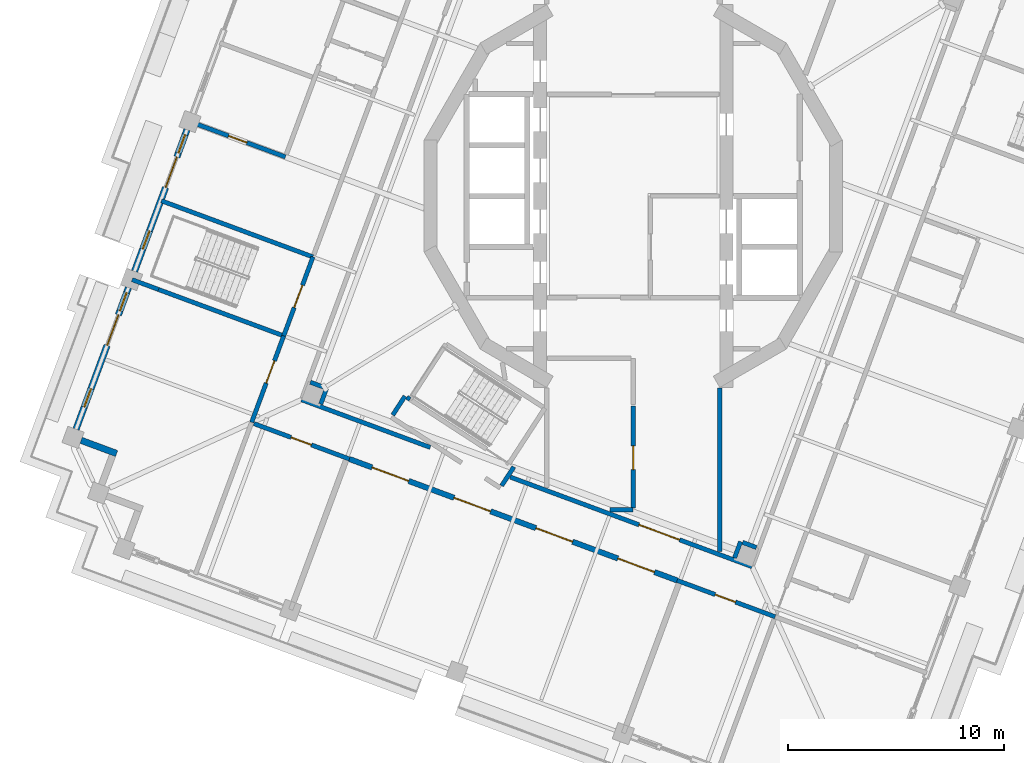
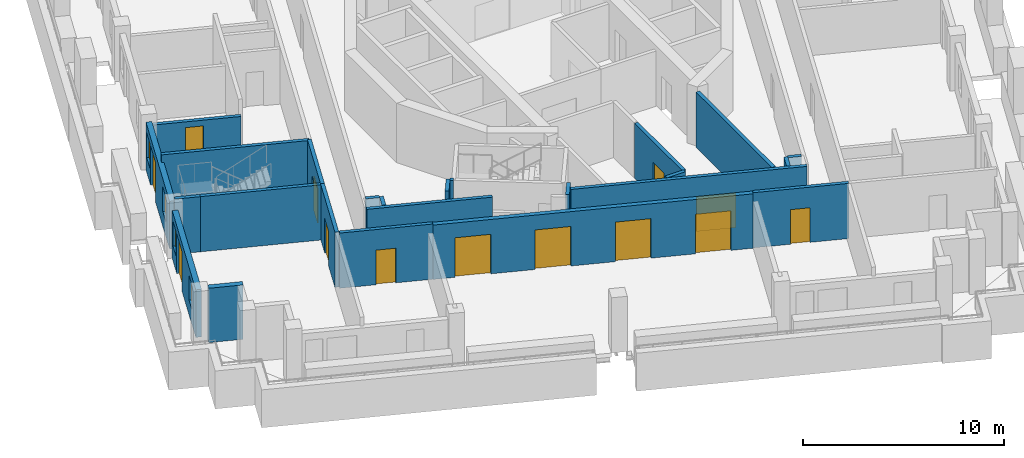
# One storey, part 4 of 18: 24 walls, 13 doors, 4 windows, 17 openings.
"""IFC4 building model written with IfcOpenShell, lengths in metres."""

import ifcopenshell
import ifcopenshell.guid

model = None  # the IFC model being written
_history = None  # IfcOwnerHistory: only IFC2X3 demands one
_inside = {}  # id of a spatial element -> (the spatial element, [elements in it])
_under = {}  # id of a project, library or spatial element -> (it, [spatial elements below it])
_declared = {}  # id of a project -> (the project, [libraries it declares])
_typed = {}  # id of a type object -> (the type object, [elements of that type])
_made_of = {}  # id of a material, layer set ... -> (it, [elements and type objects made of it])


def new_model(schema):
    """Start an empty IFC model of exactly this schema.

    Asked for "IFC4X3", IfcOpenShell would pick the latest addendum, in which some entities
    have other attributes; the version numbers below select the first issue.
    IFC2X3 requires an IfcOwnerHistory on every rooted entity: one is made here for all.
    """
    global model, _history
    if schema == "IFC4X3":
        model = ifcopenshell.file(schema_version=(4, 3, 0, 0))
    else:
        model = ifcopenshell.file(schema=schema)
    _inside.clear()
    _under.clear()
    _declared.clear()
    _typed.clear()
    _made_of.clear()
    _history = None
    if model.schema == "IFC2X3":
        org = make("IfcOrganization", Name="unknown")
        user = make(
            "IfcPersonAndOrganization",
            ThePerson=make("IfcPerson", FamilyName="unknown"),
            TheOrganization=org,
        )
        app = make(
            "IfcApplication",
            ApplicationDeveloper=org,
            Version="unknown",
            ApplicationFullName="unknown",
            ApplicationIdentifier="unknown",
        )
        _history = make(
            "IfcOwnerHistory",
            OwningUser=user,
            OwningApplication=app,
            ChangeAction="ADDED",
            CreationDate=0,
        )
    return model


def make(cls, **values):
    """One entity of the class cls with the attributes given. An attribute that is None is left unset."""
    return model.create_entity(
        cls, **{name: value for name, value in values.items() if value is not None}
    )


def rooted(cls, **values):
    """An entity with a GlobalId (a new one), such as an element, a storey or a relation."""
    return make(cls, GlobalId=ifcopenshell.guid.new(), OwnerHistory=_history, **values)


def si_unit(unit_type, name, prefix=None):
    """IfcSIUnit, for example si_unit("LENGTHUNIT", "METRE", prefix="MILLI")."""
    return make("IfcSIUnit", UnitType=unit_type, Prefix=prefix, Name=name)


def assignment(units):
    """IfcUnitAssignment: the units of a project."""
    return None if units is None else make("IfcUnitAssignment", Units=units)


def point(xyz):
    """IfcCartesianPoint."""
    return None if xyz is None else make("IfcCartesianPoint", Coordinates=xyz)


def direction(xyz):
    """IfcDirection."""
    return None if xyz is None else make("IfcDirection", DirectionRatios=xyz)


def frame(location, z_axis=None, x_axis=None):
    """IfcAxis2Placement3D, a coordinate frame: its origin and axes. An axis left out is left unset."""
    return make(
        "IfcAxis2Placement3D",
        Location=point(location),
        Axis=direction(z_axis),
        RefDirection=direction(x_axis),
    )


def frame_2d(location, x_axis=None):
    """IfcAxis2Placement2D, a coordinate frame in the plane: its origin and x axis."""
    return make(
        "IfcAxis2Placement2D", Location=point(location), RefDirection=direction(x_axis)
    )


def origin():
    """The frame at (0, 0, 0) with its axes left unset."""
    return frame((0.0, 0.0, 0.0))


def place(relative_to, where):
    """IfcLocalPlacement: puts the frame where relative to a parent placement (None: the world)."""
    return make(
        "IfcLocalPlacement", PlacementRelTo=relative_to, RelativePlacement=where
    )


def context(
    kind, dimensions, precision=None, world=None, true_north=None, identifier=None
):
    """IfcGeometricRepresentationContext, for example the 3D "Model" context."""
    return make(
        "IfcGeometricRepresentationContext",
        ContextIdentifier=identifier,
        ContextType=kind,
        CoordinateSpaceDimension=dimensions,
        Precision=precision,
        WorldCoordinateSystem=world,
        TrueNorth=true_north,
    )


def subcontext(parent, identifier, kind, view, scale=None):
    """IfcGeometricRepresentationSubContext, for example "Body" below "Model"."""
    return make(
        "IfcGeometricRepresentationSubContext",
        ContextIdentifier=identifier,
        ContextType=kind,
        ParentContext=parent,
        TargetScale=scale,
        TargetView=view,
    )


def project(units=None, contexts=None):
    """IfcProject with its units and contexts."""
    return rooted(
        "IfcProject",
        Name="project",
        RepresentationContexts=contexts,
        UnitsInContext=assignment(units),
    )


def spatial(cls, under=None, at=None, **own):
    """A site, building, storey or space (cls), placed at a placement, below another one or the project."""
    s = rooted(cls, ObjectPlacement=at, **own)
    if under is not None:
        _under.setdefault(under.id(), (under, []))[1].append(s)
    return s


def profile(cls, at=None, kind="AREA", **sizes):
    """A parametric profile (cls). Its sizes go by their IFC names, for example OverallWidth=200.0."""
    return make(cls, ProfileType=kind, Position=at, **sizes)


def rectangle(**sizes):
    """IfcRectangleProfileDef."""
    return profile("IfcRectangleProfileDef", **sizes)


def extrude(swept, where, along, depth):
    """IfcExtrudedAreaSolid: the profile swept, set in the frame where, extruded along a direction by depth."""
    return make(
        "IfcExtrudedAreaSolid",
        SweptArea=swept,
        Position=where,
        ExtrudedDirection=direction(along),
        Depth=depth,
    )


def shape(context_of_items, identifier, shape_type, items):
    """IfcShapeRepresentation: the items that make up one representation, for example the "Body"."""
    return make(
        "IfcShapeRepresentation",
        ContextOfItems=context_of_items,
        RepresentationIdentifier=identifier,
        RepresentationType=shape_type,
        Items=items,
    )


def material(Name=None, Category=None):
    """IfcMaterial."""
    return make("IfcMaterial", Name=Name, Category=Category)


def layer(
    of_material, thickness, ventilated=None, Name=None, Category=None, Priority=None
):
    """IfcMaterialLayer: one layer of a wall or slab, of a material (None: an air gap)."""
    return make(
        "IfcMaterialLayer",
        Material=of_material,
        LayerThickness=thickness,
        IsVentilated=ventilated,
        Name=Name,
        Category=Category,
        Priority=Priority,
    )


def layer_set(layers, Name=None):
    """IfcMaterialLayerSet."""
    return make("IfcMaterialLayerSet", MaterialLayers=layers, LayerSetName=Name)


def made_of(thing, what):
    """Note that an element or type object is made of a material, layer set ...; save() writes the relation."""
    if what is not None:
        _made_of.setdefault(what.id(), (what, []))[1].append(thing)
    return thing


def type_object(cls, material=None, **own):
    """A type object (cls), such as IfcWallType, which elements share."""
    return made_of(rooted(cls, **own), material)


def element(
    cls,
    number,
    at=None,
    inside=None,
    cuts=None,
    type_object=None,
    material=None,
    context=None,
    identifier="Body",
    shape_type=None,
    held_by="IfcProductDefinitionShape",
    body=None,
    shapes=None,
    **own,
):
    """One element of the class cls, such as IfcWall. Its Tag is "e" and its number.

    at: its placement. inside: the storey or other place that contains it. cuts: it is an
    opening in that element (IfcRelVoidsElement). A single representation is given by context,
    identifier, shape_type and body (its items); several are given by shapes. held_by: the class
    of the entity that holds the representations. save() writes the other relations.
    """
    e = rooted(cls, Tag="e%d" % number, ObjectPlacement=at, **own)
    if body is not None:
        shapes = [shape(context, identifier, shape_type, body)]
    if shapes is not None:
        e.Representation = make(held_by, Representations=shapes)
    if inside is not None:
        _inside.setdefault(inside.id(), (inside, []))[1].append(e)
    if cuts is not None:
        rooted(
            "IfcRelVoidsElement", RelatingBuildingElement=cuts, RelatedOpeningElement=e
        )
    if type_object is not None:
        _typed.setdefault(type_object.id(), (type_object, []))[1].append(e)
    return made_of(e, material)


def fill(opening, filler):
    """IfcRelFillsElement: the door or window that sits in an opening."""
    return rooted(
        "IfcRelFillsElement",
        RelatingOpeningElement=opening,
        RelatedBuildingElement=filler,
    )


def aggregate(whole, parts):
    """IfcRelAggregates: a whole, such as a stair, and the parts it consists of."""
    return rooted("IfcRelAggregates", RelatingObject=whole, RelatedObjects=parts)


def save(model, path):
    """Write the relations noted so far, then the file.

    IfcRelAggregates (storeys below a building ...), IfcRelContainedInSpatialStructure (elements
    in a storey), IfcRelDefinesByType, IfcRelAssociatesMaterial and IfcRelDeclares: one each for
    every whole, place, type object, material and project.
    """
    for whole, parts in _under.values():
        aggregate(whole, parts)
    for where, things in _inside.values():
        rooted(
            "IfcRelContainedInSpatialStructure",
            RelatedElements=things,
            RelatingStructure=where,
        )
    for kind, things in _typed.values():
        rooted("IfcRelDefinesByType", RelatedObjects=things, RelatingType=kind)
    for what, things in _made_of.values():
        rooted("IfcRelAssociatesMaterial", RelatedObjects=things, RelatingMaterial=what)
    for by, libraries in _declared.values():
        rooted("IfcRelDeclares", RelatingContext=by, RelatedDefinitions=libraries)
    model.write(path)


model = new_model("IFC4")

# Units and contexts
model_context = context("Model", 3, precision=1e-05, world=origin(), true_north=direction((0.0, 1.0)))
body_context = subcontext(model_context, "Body", "Model", "MODEL_VIEW")
ifc_project = project(units=[si_unit("LENGTHUNIT", "METRE"), si_unit("AREAUNIT", "SQUARE_METRE"), si_unit("VOLUMEUNIT", "CUBIC_METRE"), si_unit("PLANEANGLEUNIT", "RADIAN"), si_unit("MASSUNIT", "GRAM", prefix="KILO")], contexts=[model_context])

# Site, building, storey
site_placement = place(None, origin())
site = spatial("IfcSite", under=ifc_project, at=site_placement, CompositionType="ELEMENT")
building_placement = place(site_placement, origin())
building = spatial("IfcBuilding", under=site, at=building_placement, Name="Cantera Rosa Tower", CompositionType="ELEMENT")
storey_placement = place(building_placement, frame((0.0, 0.0, 316.89990234375)))
storey = spatial("IfcBuildingStorey", under=building, at=storey_placement, Name="L70", CompositionType="ELEMENT", Elevation=316.89990234375)

# Wall, opening, door
ifc_material_1 = material(Name="Gypsum board partition")
ifc_layer_1 = layer(ifc_material_1, 0.199951171875)
ifc_layer_set_1 = layer_set([ifc_layer_1], Name="CORRIDOR WALL 200 H3350")
wall_type_1 = type_object("IfcWallType", Name="CORRIDOR WALL 200 H3350", PredefinedType="PARTITIONING", material=ifc_layer_set_1)
wall_1_placement = place(storey_placement, frame((-17.52587890625, -10.515380859375, 0.0), z_axis=(0.0, 0.0, 1.0), x_axis=(0.937697424196, -0.347452933009, 0.0)))
wall_1 = element("IfcWall", 1, at=wall_1_placement, inside=storey, type_object=wall_type_1, Name="CORRIDOR WALL L70-003", PredefinedType="PARTITIONING", context=body_context, shape_type="SweptSolid", body=[
    extrude(rectangle(XDim=4.705078125, YDim=0.199951171875, at=frame_2d((2.3525390625, 0.0))), origin(), (0.0, 0.0, 1.0), 3.35009765625),
])
opening_1_placement = place(wall_1_placement, frame((1.830078125, 0.0, 0.0)))
opening_1 = element("IfcOpeningElement", 2, at=opening_1_placement, cuts=wall_1, Name="Opening L70-037", PredefinedType="OPENING", context=body_context, shape_type="SweptSolid", body=[
    extrude(rectangle(XDim=1.0, YDim=2.10009765625, at=frame_2d((0.5, 1.050048828125))), frame((0.0, 0.10986328125, 0.0), z_axis=(0.0, -1.0, 0.0), x_axis=(1.0, 0.0, 0.0)), (0.0, 0.0, 1.0), 0.219970703125),
])
ifc_material_2 = material(Name="Timber door leaf", Category="wood")
door_type_1 = type_object("IfcDoorType", Name="ROOM DOOR 1000x2100", OperationType="NOTDEFINED", PredefinedType="DOOR", material=ifc_material_2)
door_1_placement = place(opening_1_placement, origin())
door_1 = element("IfcDoor", 3, at=door_1_placement, inside=storey, type_object=door_type_1, Name="DOOR L70-037", OperationType="NOTDEFINED", OverallHeight=2.10009765625, OverallWidth=1.0, PredefinedType="DOOR", context=body_context, shape_type="SweptSolid", body=[
    extrude(rectangle(XDim=1.0, YDim=2.10009765625, at=frame_2d((0.5, 1.050048828125))), frame((0.0, 0.02490234375, 0.0), z_axis=(0.0, -1.0, 0.0), x_axis=(1.0, 0.0, 0.0)), (0.0, 0.0, 1.0), 0.050048828125),
])
fill(opening_1, door_1)

wall_2_placement = place(storey_placement, frame((2.029541015625, -17.761962890625, 0.0), z_axis=(0.0, 0.0, 1.0), x_axis=(0.937671830351, -0.34752199724, 0.0)))
wall_2 = element("IfcWall", 4, at=wall_2_placement, inside=storey, type_object=wall_type_1, Name="CORRIDOR WALL L70-004", PredefinedType="PARTITIONING", context=body_context, shape_type="SweptSolid", body=[
    extrude(rectangle(XDim=4.824951171875, YDim=0.199951171875, at=frame_2d((2.41259765625, 0.0))), origin(), (0.0, 0.0, 1.0), 3.35009765625),
])
opening_2_placement = place(wall_2_placement, frame((1.875, 0.0, 0.0)))
opening_2 = element("IfcOpeningElement", 5, at=opening_2_placement, cuts=wall_2, Name="Opening L70-038", PredefinedType="OPENING", context=body_context, shape_type="SweptSolid", body=[
    extrude(rectangle(XDim=1.0, YDim=2.10009765625, at=frame_2d((0.5, 1.050048828125))), frame((0.0, 0.10986328125, 0.0), z_axis=(0.0, -1.0, 0.0), x_axis=(1.0, 0.0, 0.0)), (0.0, 0.0, 1.0), 0.219970703125),
])
door_2_placement = place(opening_2_placement, origin())
door_2 = element("IfcDoor", 6, at=door_2_placement, inside=storey, type_object=door_type_1, Name="DOOR L70-038", OperationType="NOTDEFINED", OverallHeight=2.10009765625, OverallWidth=1.0, PredefinedType="DOOR", context=body_context, shape_type="SweptSolid", body=[
    extrude(rectangle(XDim=1.0, YDim=2.10009765625, at=frame_2d((0.5, 1.050048828125))), frame((0.0, 0.02490234375, 0.0), z_axis=(0.0, -1.0, 0.0), x_axis=(1.0, 0.0, 0.0)), (0.0, 0.0, 1.0), 0.050048828125),
])
fill(opening_2, door_2)

wall_3_placement = place(storey_placement, frame((-16.1513671875, -6.460205078125, 0.0), z_axis=(0.0, 0.0, 1.0), x_axis=(-0.347465539693, -0.937692752838, 0.0)))
wall_3 = element("IfcWall", 7, at=wall_3_placement, inside=storey, type_object=wall_type_1, Name="CORRIDOR WALL L70-005", PredefinedType="PARTITIONING", context=body_context, shape_type="SweptSolid", body=[
    extrude(rectangle(XDim=4.260009765625, YDim=0.199951171875, at=frame_2d((2.1298828125, 0.0))), origin(), (0.0, 0.0, 1.0), 3.35009765625),
])
opening_3_placement = place(wall_3_placement, frame((1.22998046875, 0.0, 0.0)))
opening_3 = element("IfcOpeningElement", 8, at=opening_3_placement, cuts=wall_3, Name="Opening L70-036", PredefinedType="OPENING", context=body_context, shape_type="SweptSolid", body=[
    extrude(rectangle(XDim=1.10009765625, YDim=2.10009765625, at=frame_2d((0.550048828125, 1.050048828125))), frame((0.0, 0.10986328125, 0.0), z_axis=(0.0, -1.0, 0.0), x_axis=(1.0, 0.0, 0.0)), (0.0, 0.0, 1.0), 0.219970703125),
])
ifc_material_3 = material(Name="Timber door leaf", Category="wood")
door_type_2 = type_object("IfcDoorType", Name="ROOM DOOR 1100x2100", OperationType="NOTDEFINED", PredefinedType="DOOR", material=ifc_material_3)
door_3_placement = place(opening_3_placement, origin())
door_3 = element("IfcDoor", 9, at=door_3_placement, inside=storey, type_object=door_type_2, Name="DOOR L70-036", OperationType="NOTDEFINED", OverallHeight=2.10009765625, OverallWidth=1.10009765625, PredefinedType="DOOR", context=body_context, shape_type="SweptSolid", body=[
    extrude(rectangle(XDim=1.10009765625, YDim=2.10009765625, at=frame_2d((0.550048828125, 1.050048828125))), frame((0.0, 0.02490234375, 0.0), z_axis=(0.0, -1.0, 0.0), x_axis=(1.0, 0.0, 0.0)), (0.0, 0.0, 1.0), 0.050048828125),
])
fill(opening_3, door_3)

# Walls
wall_4_placement = place(storey_placement, frame((-15.3251953125, -9.4111328125, 0.0), z_axis=(0.0, 0.0, 1.0), x_axis=(0.937682798528, -0.347492401852, 0.0)))
element("IfcWall", 10, at=wall_4_placement, inside=storey, type_object=wall_type_1, Name="CORRIDOR WALL L70-008", PredefinedType="PARTITIONING", context=body_context, shape_type="SweptSolid", body=[
    extrude(rectangle(XDim=6.341552734375, YDim=0.199951171875, at=frame_2d((3.1708984375, 0.0))), origin(), (0.0, 0.0, 1.0), 3.35009765625),
])
wall_5_placement = place(storey_placement, frame((-10.546630859375, -9.2451171875, 0.0), z_axis=(0.0, 0.0, 1.0), x_axis=(-0.544732150362, -0.838610090782, 0.0)))
element("IfcWall", 11, at=wall_5_placement, inside=storey, type_object=wall_type_1, Name="CORRIDOR WALL L70-022", PredefinedType="PARTITIONING", context=body_context, shape_type="SweptSolid", body=[
    extrude(rectangle(XDim=1.038330078125, YDim=0.199951171875, at=frame_2d((0.51904296875, 0.0))), origin(), (0.0, 0.0, 1.0), 3.35009765625),
])
wall_6_placement = place(storey_placement, frame((-10.31591796875, -9.394775390625, 0.0), z_axis=(0.0, 0.0, 1.0), x_axis=(-0.838857934668, 0.544350406856, 0.0)))
element("IfcWall", 12, at=wall_6_placement, inside=storey, type_object=wall_type_1, Name="CORRIDOR WALL L70-023", PredefinedType="PARTITIONING", context=body_context, shape_type="SweptSolid", body=[
    extrude(rectangle(XDim=0.1748046875, YDim=0.199951171875, at=frame_2d((0.08740234375, 0.0))), origin(), (0.0, 0.0, 1.0), 3.35009765625),
])
wall_7_placement = place(storey_placement, frame((-6.080078125, -13.3837890625, 0.0), z_axis=(0.0, 0.0, 1.0), x_axis=(0.544566778899, 0.838717487191, 0.0)))
element("IfcWall", 13, at=wall_7_placement, inside=storey, type_object=wall_type_1, Name="CORRIDOR WALL L70-037", PredefinedType="PARTITIONING", context=body_context, shape_type="SweptSolid", body=[
    extrude(rectangle(XDim=1.038330078125, YDim=0.199951171875, at=frame_2d((0.51904296875, 0.0))), origin(), (0.0, 0.0, 1.0), 3.35009765625),
])

# Wall, opening, door
wall_8_placement = place(storey_placement, frame((-5.681396484375, -12.98486328125, 0.0), z_axis=(0.0, 0.0, 1.0), x_axis=(0.937686213924, -0.347483185516, 0.0)))
wall_8 = element("IfcWall", 14, at=wall_8_placement, inside=storey, type_object=wall_type_1, Name="CORRIDOR WALL L70-041", PredefinedType="PARTITIONING", context=body_context, shape_type="SweptSolid", body=[
    extrude(rectangle(XDim=11.915283203125, YDim=0.199951171875, at=frame_2d((5.95751953125, 0.0))), origin(), (0.0, 0.0, 1.0), 3.35009765625),
])
opening_4_placement = place(wall_8_placement, frame((6.342529296875, 0.0, 0.0)))
opening_4 = element("IfcOpeningElement", 15, at=opening_4_placement, cuts=wall_8, Name="Opening L70-011", PredefinedType="OPENING", context=body_context, shape_type="SweptSolid", body=[
    extrude(rectangle(XDim=2.0, YDim=2.10009765625, at=frame_2d((1.0, 1.050048828125))), frame((0.0, 0.10986328125, 0.0), z_axis=(0.0, -1.0, 0.0), x_axis=(1.0, 0.0, 0.0)), (0.0, 0.0, 1.0), 0.219970703125),
])
ifc_material_4 = material(Name="Steel S355J2 (EN 10025-2)", Category="steel")
door_type_3 = type_object("IfcDoorType", Name="LOBBY SCREEN DOOR 2000x2100", OperationType="NOTDEFINED", PredefinedType="DOOR", material=ifc_material_4)
door_4_placement = place(opening_4_placement, origin())
door_4 = element("IfcDoor", 16, at=door_4_placement, inside=storey, type_object=door_type_3, Name="DOOR L70-011", OperationType="NOTDEFINED", OverallHeight=2.10009765625, OverallWidth=2.0, PredefinedType="DOOR", context=body_context, shape_type="SweptSolid", body=[
    extrude(rectangle(XDim=2.0, YDim=2.10009765625, at=frame_2d((1.0, 1.050048828125))), frame((0.0, 0.02490234375, 0.0), z_axis=(0.0, -1.0, 0.0), x_axis=(1.0, 0.0, 0.0)), (0.0, 0.0, 1.0), 0.050048828125),
])
fill(opening_4, door_4)

# Wall
wall_9_placement = place(storey_placement, frame((-1.072998046875, -14.5, 0.0), z_axis=(0.0, 0.0, 1.0), x_axis=(1.0, 0.0, 0.0)))
element("IfcWall", 17, at=wall_9_placement, inside=storey, type_object=wall_type_1, Name="CORRIDOR WALL L70-053", PredefinedType="PARTITIONING", context=body_context, shape_type="SweptSolid", body=[
    extrude(rectangle(XDim=1.072998046875, YDim=0.199951171875, at=frame_2d((0.53662109375, 0.0))), origin(), (0.0, 0.0, 1.0), 3.35009765625),
])

# Wall, opening, door
wall_10_placement = place(storey_placement, frame((0.0, -14.419921875, 0.0), z_axis=(0.0, 0.0, 1.0), x_axis=(0.0, 1.0, 0.0)))
wall_10 = element("IfcWall", 18, at=wall_10_placement, inside=storey, type_object=wall_type_1, Name="CORRIDOR WALL L70-055", PredefinedType="PARTITIONING", context=body_context, shape_type="SweptSolid", body=[
    extrude(rectangle(XDim=4.730712890625, YDim=0.199951171875, at=frame_2d((2.365234375, 0.0))), origin(), (0.0, 0.0, 1.0), 3.35009765625),
])
opening_5_placement = place(wall_10_placement, frame((1.775390625, 0.0, 0.0)))
opening_5 = element("IfcOpeningElement", 19, at=opening_5_placement, cuts=wall_10, Name="Opening L70-014", PredefinedType="OPENING", context=body_context, shape_type="SweptSolid", body=[
    extrude(rectangle(XDim=1.10009765625, YDim=2.10009765625, at=frame_2d((0.550048828125, 1.050048828125))), frame((0.0, 0.10986328125, 0.0), z_axis=(0.0, -1.0, 0.0), x_axis=(1.0, 0.0, 0.0)), (0.0, 0.0, 1.0), 0.219970703125),
])
door_5_placement = place(opening_5_placement, origin())
door_5 = element("IfcDoor", 20, at=door_5_placement, inside=storey, type_object=door_type_2, Name="DOOR L70-014", OperationType="NOTDEFINED", OverallHeight=2.10009765625, OverallWidth=1.10009765625, PredefinedType="DOOR", context=body_context, shape_type="SweptSolid", body=[
    extrude(rectangle(XDim=1.10009765625, YDim=2.10009765625, at=frame_2d((0.550048828125, 1.050048828125))), frame((0.0, 0.02490234375, 0.0), z_axis=(0.0, -1.0, 0.0), x_axis=(1.0, 0.0, 0.0)), (0.0, 0.0, 1.0), 0.050048828125),
])
fill(opening_5, door_5)

# Walls
wall_11_placement = place(storey_placement, frame((4.0, -16.4326171875, 0.0), z_axis=(0.0, 0.0, 1.0), x_axis=(0.0, 1.0, 0.0)))
element("IfcWall", 21, at=wall_11_placement, inside=storey, type_object=wall_type_1, Name="CORRIDOR WALL L70-066", PredefinedType="PARTITIONING", context=body_context, shape_type="SweptSolid", body=[
    extrude(rectangle(XDim=7.5537109375, YDim=0.199951171875, at=frame_2d((3.77685546875, 0.0))), origin(), (0.0, 0.0, 1.0), 3.35009765625),
])
ifc_material_5 = material(Name="Hollow clay masonry with cantera stone cladding", Category="masonry")
ifc_layer_2 = layer(ifc_material_5, 0.300048828125)
ifc_layer_set_2 = layer_set([ifc_layer_2], Name="EW-LOGGIA 300")
wall_type_2 = type_object("IfcWallType", Name="EW-LOGGIA 300", PredefinedType="SOLIDWALL", material=ifc_layer_set_2)
wall_12_placement = place(storey_placement, frame((-25.51220703125, -11.288330078125, 0.0), z_axis=(0.0, 0.0, 1.0), x_axis=(0.937669639538, -0.34752790836, 0.0)))
element("IfcWall", 22, at=wall_12_placement, inside=storey, type_object=wall_type_2, Name="EN-L70-W12a", PredefinedType="SOLIDWALL", context=body_context, shape_type="SweptSolid", body=[
    extrude(rectangle(XDim=1.75, YDim=0.300048828125, at=frame_2d((0.875, 0.0))), origin(), (0.0, 0.0, 1.0), 3.300048828125),
])

# Wall, openings, windows, door
ifc_material_6 = material(Name="Hollow clay masonry with cantera stone cladding", Category="masonry")
ifc_layer_3 = layer(ifc_material_6, 0.300048828125)
ifc_layer_set_3 = layer_set([ifc_layer_3], Name="EW-LOGGIA 300 H2890")
wall_type_3 = type_object("IfcWallType", Name="EW-LOGGIA 300 H2890", PredefinedType="SOLIDWALL", material=ifc_layer_set_3)
wall_13_placement = place(storey_placement, frame((-20.61962890625, 3.06591796875, 0.0), z_axis=(0.0, 0.0, 1.0), x_axis=(-0.347471562124, -0.937690521182, 0.0)))
wall_13 = element("IfcWall", 23, at=wall_13_placement, inside=storey, type_object=wall_type_3, Name="EN-L70-W10", PredefinedType="SOLIDWALL", context=body_context, shape_type="SweptSolid", body=[
    extrude(rectangle(XDim=6.979736328125, YDim=0.300048828125, at=frame_2d((3.48974609375, 0.0))), origin(), (0.0, 0.0, 1.0), 2.89013671875),
])
opening_6_placement = place(wall_13_placement, frame((0.2451171875, 0.0, 0.89990234375)))
opening_6 = element("IfcOpeningElement", 24, at=opening_6_placement, cuts=wall_13, Name="Opening L70-W22", PredefinedType="OPENING", context=body_context, shape_type="SweptSolid", body=[
    extrude(rectangle(XDim=0.89990234375, YDim=1.5, at=frame_2d((0.449951171875, 0.75))), frame((0.0, 0.159912109375, 0.0), z_axis=(0.0, -1.0, 0.0), x_axis=(1.0, 0.0, 0.0)), (0.0, 0.0, 1.0), 0.320068359375),
])
opening_7_placement = place(wall_13_placement, frame((1.344970703125, 0.0, 0.0)))
opening_7 = element("IfcOpeningElement", 25, at=opening_7_placement, cuts=wall_13, Name="Opening L70-TD23", PredefinedType="OPENING", context=body_context, shape_type="SweptSolid", body=[
    extrude(rectangle(XDim=1.5, YDim=2.39990234375, at=frame_2d((0.75, 1.199951171875))), frame((0.0, 0.159912109375, 0.0), z_axis=(0.0, -1.0, 0.0), x_axis=(1.0, 0.0, 0.0)), (0.0, 0.0, 1.0), 0.320068359375),
])
opening_8_placement = place(wall_13_placement, frame((4.985107421875, 0.0, 0.89990234375)))
opening_8 = element("IfcOpeningElement", 26, at=opening_8_placement, cuts=wall_13, Name="Opening L70-W24", PredefinedType="OPENING", context=body_context, shape_type="SweptSolid", body=[
    extrude(rectangle(XDim=0.89990234375, YDim=1.5, at=frame_2d((0.449951171875, 0.75))), frame((0.0, 0.159912109375, 0.0), z_axis=(0.0, -1.0, 0.0), x_axis=(1.0, 0.0, 0.0)), (0.0, 0.0, 1.0), 0.320068359375),
])
ifc_material_7 = material(Name="Aluminium frame with clear glass", Category="aluminium")
window_type = type_object("IfcWindowType", Name="Residential window 900x1500", PartitioningType="SINGLE_PANEL", PredefinedType="WINDOW", material=ifc_material_7)
window_1_placement = place(opening_6_placement, origin())
window_1 = element("IfcWindow", 27, at=window_1_placement, inside=storey, type_object=window_type, Name="WINDOW L70-W22", OverallHeight=1.5, OverallWidth=0.89990234375, PartitioningType="SINGLE_PANEL", PredefinedType="WINDOW", context=body_context, shape_type="SweptSolid", body=[
    extrude(rectangle(XDim=0.89990234375, YDim=1.5, at=frame_2d((0.449951171875, 0.75))), frame((0.0, 0.030029296875, 0.0), z_axis=(0.0, -1.0, 0.0), x_axis=(1.0, 0.0, 0.0)), (0.0, 0.0, 1.0), 0.06005859375),
])
fill(opening_6, window_1)
window_2_placement = place(opening_8_placement, origin())
window_2 = element("IfcWindow", 28, at=window_2_placement, inside=storey, type_object=window_type, Name="WINDOW L70-W24", OverallHeight=1.5, OverallWidth=0.89990234375, PartitioningType="SINGLE_PANEL", PredefinedType="WINDOW", context=body_context, shape_type="SweptSolid", body=[
    extrude(rectangle(XDim=0.89990234375, YDim=1.5, at=frame_2d((0.449951171875, 0.75))), frame((0.0, 0.030029296875, 0.0), z_axis=(0.0, -1.0, 0.0), x_axis=(1.0, 0.0, 0.0)), (0.0, 0.0, 1.0), 0.06005859375),
])
fill(opening_8, window_2)
ifc_material_8 = material(Name="Aluminium frame with clear glass", Category="aluminium")
door_type_4 = type_object("IfcDoorType", Name="TD-R 1500x2400", OperationType="NOTDEFINED", PredefinedType="DOOR", material=ifc_material_8)
door_6_placement = place(opening_7_placement, origin())
door_6 = element("IfcDoor", 29, at=door_6_placement, inside=storey, type_object=door_type_4, Name="LOGGIA DOOR L70-TD23", OperationType="SLIDING_TO_LEFT", OverallHeight=2.39990234375, OverallWidth=1.5, PredefinedType="DOOR", context=body_context, shape_type="SweptSolid", body=[
    extrude(rectangle(XDim=1.5, YDim=2.39990234375, at=frame_2d((0.75, 1.199951171875))), frame((0.0, 0.02490234375, 0.0), z_axis=(0.0, -1.0, 0.0), x_axis=(1.0, 0.0, 0.0)), (0.0, 0.0, 1.0), 0.050048828125),
])
fill(opening_7, door_6)

wall_14_placement = place(storey_placement, frame((-23.322998046875, -4.229248046875, 0.0), z_axis=(0.0, 0.0, 1.0), x_axis=(-0.347460165909, -0.937694744097, 0.0)))
wall_14 = element("IfcWall", 30, at=wall_14_placement, inside=storey, type_object=wall_type_3, Name="EN-L70-W11", PredefinedType="SOLIDWALL", context=body_context, shape_type="SweptSolid", body=[
    extrude(rectangle(XDim=6.97998046875, YDim=0.300048828125, at=frame_2d((3.489990234375, 0.0))), origin(), (0.0, 0.0, 1.0), 2.89013671875),
])
opening_9_placement = place(wall_14_placement, frame((0.2451171875, 0.0, 0.89990234375)))
opening_9 = element("IfcOpeningElement", 31, at=opening_9_placement, cuts=wall_14, Name="Opening L70-W25", PredefinedType="OPENING", context=body_context, shape_type="SweptSolid", body=[
    extrude(rectangle(XDim=0.89990234375, YDim=1.5, at=frame_2d((0.449951171875, 0.75))), frame((0.0, 0.159912109375, 0.0), z_axis=(0.0, -1.0, 0.0), x_axis=(1.0, 0.0, 0.0)), (0.0, 0.0, 1.0), 0.320068359375),
])
opening_10_placement = place(wall_14_placement, frame((1.344970703125, 0.0, 0.0)))
opening_10 = element("IfcOpeningElement", 32, at=opening_10_placement, cuts=wall_14, Name="Opening L70-TD26", PredefinedType="OPENING", context=body_context, shape_type="SweptSolid", body=[
    extrude(rectangle(XDim=1.5, YDim=2.39990234375, at=frame_2d((0.75, 1.199951171875))), frame((0.0, 0.159912109375, 0.0), z_axis=(0.0, -1.0, 0.0), x_axis=(1.0, 0.0, 0.0)), (0.0, 0.0, 1.0), 0.320068359375),
])
opening_11_placement = place(wall_14_placement, frame((4.985107421875, 0.0, 0.89990234375)))
opening_11 = element("IfcOpeningElement", 33, at=opening_11_placement, cuts=wall_14, Name="Opening L70-W27", PredefinedType="OPENING", context=body_context, shape_type="SweptSolid", body=[
    extrude(rectangle(XDim=0.89990234375, YDim=1.5, at=frame_2d((0.449951171875, 0.75))), frame((0.0, 0.159912109375, 0.0), z_axis=(0.0, -1.0, 0.0), x_axis=(1.0, 0.0, 0.0)), (0.0, 0.0, 1.0), 0.320068359375),
])
window_3_placement = place(opening_9_placement, origin())
window_3 = element("IfcWindow", 34, at=window_3_placement, inside=storey, type_object=window_type, Name="WINDOW L70-W25", OverallHeight=1.5, OverallWidth=0.89990234375, PartitioningType="SINGLE_PANEL", PredefinedType="WINDOW", context=body_context, shape_type="SweptSolid", body=[
    extrude(rectangle(XDim=0.89990234375, YDim=1.5, at=frame_2d((0.449951171875, 0.75))), frame((0.0, 0.030029296875, 0.0), z_axis=(0.0, -1.0, 0.0), x_axis=(1.0, 0.0, 0.0)), (0.0, 0.0, 1.0), 0.06005859375),
])
fill(opening_9, window_3)
window_4_placement = place(opening_11_placement, origin())
window_4 = element("IfcWindow", 35, at=window_4_placement, inside=storey, type_object=window_type, Name="WINDOW L70-W27", OverallHeight=1.5, OverallWidth=0.89990234375, PartitioningType="SINGLE_PANEL", PredefinedType="WINDOW", context=body_context, shape_type="SweptSolid", body=[
    extrude(rectangle(XDim=0.89990234375, YDim=1.5, at=frame_2d((0.449951171875, 0.75))), frame((0.0, 0.030029296875, 0.0), z_axis=(0.0, -1.0, 0.0), x_axis=(1.0, 0.0, 0.0)), (0.0, 0.0, 1.0), 0.06005859375),
])
fill(opening_11, window_4)
door_7_placement = place(opening_10_placement, origin())
door_7 = element("IfcDoor", 36, at=door_7_placement, inside=storey, type_object=door_type_4, Name="LOGGIA DOOR L70-TD26", OperationType="SLIDING_TO_LEFT", OverallHeight=2.39990234375, OverallWidth=1.5, PredefinedType="DOOR", context=body_context, shape_type="SweptSolid", body=[
    extrude(rectangle(XDim=1.5, YDim=2.39990234375, at=frame_2d((0.75, 1.199951171875))), frame((0.0, 0.02490234375, 0.0), z_axis=(0.0, -1.0, 0.0), x_axis=(1.0, 0.0, 0.0)), (0.0, 0.0, 1.0), 0.050048828125),
])
fill(opening_10, door_7)

# Wall, openings, doors
ifc_material_9 = material(Name="Hollow clay masonry with cantera stone cladding", Category="masonry")
ifc_layer_4 = layer(ifc_material_9, 0.25)
ifc_layer_set_4 = layer_set([ifc_layer_4], Name="EW-POCKET REAR 250")
wall_type_4 = type_object("IfcWallType", Name="EW-POCKET REAR 250", PredefinedType="SOLIDWALL", material=ifc_layer_set_4)
wall_15_placement = place(storey_placement, frame((-13.1142578125, -12.150146484375, 0.0), z_axis=(0.0, 0.0, 1.0), x_axis=(0.937688205807, -0.347477810358, 0.0)))
wall_15 = element("IfcWall", 37, at=wall_15_placement, inside=storey, type_object=wall_type_4, Name="POCKET REAR L70", PredefinedType="SOLIDWALL", context=body_context, shape_type="SweptSolid", body=[
    extrude(rectangle(XDim=16.150146484375, YDim=0.25, at=frame_2d((8.0751953125, 0.0))), origin(), (0.0, 0.0, 1.0), 3.300048828125),
])
opening_12_placement = place(wall_15_placement, frame((1.11865234375, 0.0, 0.0)))
opening_12 = element("IfcOpeningElement", 38, at=opening_12_placement, cuts=wall_15, Name="Opening L70-LT01", PredefinedType="OPENING", context=body_context, shape_type="SweptSolid", body=[
    extrude(rectangle(XDim=1.800048828125, YDim=2.39990234375, at=frame_2d((0.89990234375, 1.199951171875))), frame((0.0, 0.135009765625, 0.0), z_axis=(0.0, -1.0, 0.0), x_axis=(1.0, 0.0, 0.0)), (0.0, 0.0, 1.0), 0.27001953125),
])
opening_13_placement = place(wall_15_placement, frame((5.15625, 0.0, 0.0)))
opening_13 = element("IfcOpeningElement", 39, at=opening_13_placement, cuts=wall_15, Name="Opening L70-LT02", PredefinedType="OPENING", context=body_context, shape_type="SweptSolid", body=[
    extrude(rectangle(XDim=1.800048828125, YDim=2.39990234375, at=frame_2d((0.89990234375, 1.199951171875))), frame((0.0, 0.135009765625, 0.0), z_axis=(0.0, -1.0, 0.0), x_axis=(1.0, 0.0, 0.0)), (0.0, 0.0, 1.0), 0.27001953125),
])
opening_14_placement = place(wall_15_placement, frame((9.19384765625, 0.0, 0.0)))
opening_14 = element("IfcOpeningElement", 40, at=opening_14_placement, cuts=wall_15, Name="Opening L70-LT03", PredefinedType="OPENING", context=body_context, shape_type="SweptSolid", body=[
    extrude(rectangle(XDim=1.800048828125, YDim=2.39990234375, at=frame_2d((0.89990234375, 1.199951171875))), frame((0.0, 0.135009765625, 0.0), z_axis=(0.0, -1.0, 0.0), x_axis=(1.0, 0.0, 0.0)), (0.0, 0.0, 1.0), 0.27001953125),
])
opening_15_placement = place(wall_15_placement, frame((13.231201171875, 0.0, 0.0)))
opening_15 = element("IfcOpeningElement", 41, at=opening_15_placement, cuts=wall_15, Name="Opening L70-LT04", PredefinedType="OPENING", context=body_context, shape_type="SweptSolid", body=[
    extrude(rectangle(XDim=1.800048828125, YDim=2.39990234375, at=frame_2d((0.89990234375, 1.199951171875))), frame((0.0, 0.135009765625, 0.0), z_axis=(0.0, -1.0, 0.0), x_axis=(1.0, 0.0, 0.0)), (0.0, 0.0, 1.0), 0.27001953125),
])
ifc_material_10 = material(Name="Aluminium frame with clear glass", Category="aluminium")
door_type_5 = type_object("IfcDoorType", Name="TD-T 1800x2400", OperationType="NOTDEFINED", PredefinedType="DOOR", material=ifc_material_10)
door_8_placement = place(opening_12_placement, origin())
door_8 = element("IfcDoor", 42, at=door_8_placement, inside=storey, type_object=door_type_5, Name="TERRACE DOOR L70-LT01", OperationType="DOUBLE_DOOR_SINGLE_SWING", OverallHeight=2.39990234375, OverallWidth=1.800048828125, PredefinedType="DOOR", context=body_context, shape_type="SweptSolid", body=[
    extrude(rectangle(XDim=1.800048828125, YDim=2.39990234375, at=frame_2d((0.89990234375, 1.199951171875))), frame((0.0, 0.02490234375, 0.0), z_axis=(0.0, -1.0, 0.0), x_axis=(1.0, 0.0, 0.0)), (0.0, 0.0, 1.0), 0.050048828125),
])
fill(opening_12, door_8)
door_9_placement = place(opening_13_placement, origin())
door_9 = element("IfcDoor", 43, at=door_9_placement, inside=storey, type_object=door_type_5, Name="TERRACE DOOR L70-LT02", OperationType="DOUBLE_DOOR_SINGLE_SWING", OverallHeight=2.39990234375, OverallWidth=1.800048828125, PredefinedType="DOOR", context=body_context, shape_type="SweptSolid", body=[
    extrude(rectangle(XDim=1.800048828125, YDim=2.39990234375, at=frame_2d((0.89990234375, 1.199951171875))), frame((0.0, 0.02490234375, 0.0), z_axis=(0.0, -1.0, 0.0), x_axis=(1.0, 0.0, 0.0)), (0.0, 0.0, 1.0), 0.050048828125),
])
fill(opening_13, door_9)
door_10_placement = place(opening_14_placement, origin())
door_10 = element("IfcDoor", 44, at=door_10_placement, inside=storey, type_object=door_type_5, Name="TERRACE DOOR L70-LT03", OperationType="DOUBLE_DOOR_SINGLE_SWING", OverallHeight=2.39990234375, OverallWidth=1.800048828125, PredefinedType="DOOR", context=body_context, shape_type="SweptSolid", body=[
    extrude(rectangle(XDim=1.800048828125, YDim=2.39990234375, at=frame_2d((0.89990234375, 1.199951171875))), frame((0.0, 0.02490234375, 0.0), z_axis=(0.0, -1.0, 0.0), x_axis=(1.0, 0.0, 0.0)), (0.0, 0.0, 1.0), 0.050048828125),
])
fill(opening_14, door_10)
door_11_placement = place(opening_15_placement, origin())
door_11 = element("IfcDoor", 45, at=door_11_placement, inside=storey, type_object=door_type_5, Name="TERRACE DOOR L70-LT04", OperationType="DOUBLE_DOOR_SINGLE_SWING", OverallHeight=2.39990234375, OverallWidth=1.800048828125, PredefinedType="DOOR", context=body_context, shape_type="SweptSolid", body=[
    extrude(rectangle(XDim=1.800048828125, YDim=2.39990234375, at=frame_2d((0.89990234375, 1.199951171875))), frame((0.0, 0.02490234375, 0.0), z_axis=(0.0, -1.0, 0.0), x_axis=(1.0, 0.0, 0.0)), (0.0, 0.0, 1.0), 0.050048828125),
])
fill(opening_15, door_11)

# Wall, opening, door
ifc_material_11 = material(Name="Gypsum board partition")
ifc_layer_5 = layer(ifc_material_11, 0.199951171875)
ifc_layer_set_5 = layer_set([ifc_layer_5], Name="PARTITION 200 H2450")
wall_type_5 = type_object("IfcWallType", Name="PARTITION 200 H2450", PredefinedType="PARTITIONING", material=ifc_layer_set_5)
wall_16_placement = place(storey_placement, frame((-16.073486328125, 1.807861328125, 0.0), z_axis=(0.0, 0.0, 1.0), x_axis=(-0.937680003703, 0.347499943388, 0.0)))
wall_16 = element("IfcWall", 46, at=wall_16_placement, inside=storey, type_object=wall_type_5, Name="PARTITION L70-007", PredefinedType="PARTITIONING", context=body_context, shape_type="SweptSolid", body=[
    extrude(rectangle(XDim=4.669921875, YDim=0.199951171875, at=frame_2d((2.3349609375, 0.0))), origin(), (0.0, 0.0, 1.0), 2.4501953125),
])
opening_16_placement = place(wall_16_placement, frame((1.89990234375, 0.0, 0.0)))
opening_16 = element("IfcOpeningElement", 47, at=opening_16_placement, cuts=wall_16, Name="Opening L70-032", PredefinedType="OPENING", context=body_context, shape_type="SweptSolid", body=[
    extrude(rectangle(XDim=0.89990234375, YDim=2.10009765625, at=frame_2d((0.449951171875, 1.050048828125))), frame((0.0, 0.10986328125, 0.0), z_axis=(0.0, -1.0, 0.0), x_axis=(1.0, 0.0, 0.0)), (0.0, 0.0, 1.0), 0.219970703125),
])
ifc_material_12 = material(Name="Timber door leaf", Category="wood")
door_type_6 = type_object("IfcDoorType", Name="ROOM DOOR 900x2100", OperationType="NOTDEFINED", PredefinedType="DOOR", material=ifc_material_12)
door_12_placement = place(opening_16_placement, origin())
door_12 = element("IfcDoor", 48, at=door_12_placement, inside=storey, type_object=door_type_6, Name="DOOR L70-032", OperationType="NOTDEFINED", OverallHeight=2.10009765625, OverallWidth=0.89990234375, PredefinedType="DOOR", context=body_context, shape_type="SweptSolid", body=[
    extrude(rectangle(XDim=0.89990234375, YDim=2.10009765625, at=frame_2d((0.449951171875, 1.050048828125))), frame((0.0, 0.02490234375, 0.0), z_axis=(0.0, -1.0, 0.0), x_axis=(1.0, 0.0, 0.0)), (0.0, 0.0, 1.0), 0.050048828125),
])
fill(opening_16, door_12)

# Walls
ifc_material_13 = material(Name="Gypsum board partition")
ifc_layer_6 = layer(ifc_material_13, 0.199951171875)
ifc_layer_set_6 = layer_set([ifc_layer_6], Name="PARTITION 200 H3350")
wall_type_6 = type_object("IfcWallType", Name="PARTITION 200 H3350", PredefinedType="PARTITIONING", material=ifc_layer_set_6)
wall_17_placement = place(storey_placement, frame((-14.439697265625, -9.611328125, 0.0), z_axis=(0.0, 0.0, 1.0), x_axis=(0.347691457596, 0.937609007164, 0.0)))
element("IfcWall", 49, at=wall_17_placement, inside=storey, type_object=wall_type_6, Name="PARTITION L70-012", PredefinedType="PARTITIONING", context=body_context, shape_type="SweptSolid", body=[
    extrude(rectangle(XDim=0.780029296875, YDim=0.199951171875, at=frame_2d((0.39013671875, 0.0))), origin(), (0.0, 0.0, 1.0), 3.35009765625),
])
wall_18_placement = place(storey_placement, frame((-14.26220703125, -8.84521484375, 0.0), z_axis=(0.0, 0.0, 1.0), x_axis=(-0.937740347131, 0.347337071678, 0.0)))
element("IfcWall", 50, at=wall_18_placement, inside=storey, type_object=wall_type_6, Name="PARTITION L70-013", PredefinedType="PARTITIONING", context=body_context, shape_type="SweptSolid", body=[
    extrude(rectangle(XDim=0.7001953125, YDim=0.199951171875, at=frame_2d((0.35009765625, 0.0))), origin(), (0.0, 0.0, 1.0), 3.35009765625),
])
wall_19_placement = place(storey_placement, frame((4.960205078125, -15.96875, 0.0), z_axis=(0.0, 0.0, 1.0), x_axis=(-0.34737400582, -0.937726665975, 0.0)))
element("IfcWall", 51, at=wall_19_placement, inside=storey, type_object=wall_type_6, Name="PARTITION L70-073", PredefinedType="PARTITIONING", context=body_context, shape_type="SweptSolid", body=[
    extrude(rectangle(XDim=0.7998046875, YDim=0.199951171875, at=frame_2d((0.39990234375, 0.0))), origin(), (0.0, 0.0, 1.0), 3.35009765625),
])
wall_20_placement = place(storey_placement, frame((5.691650390625, -16.23974609375, 0.0), z_axis=(0.0, 0.0, 1.0), x_axis=(-0.937679455874, 0.347501421626, 0.0)))
element("IfcWall", 52, at=wall_20_placement, inside=storey, type_object=wall_type_6, Name="PARTITION L70-075", PredefinedType="PARTITIONING", context=body_context, shape_type="SweptSolid", body=[
    extrude(rectangle(XDim=0.68017578125, YDim=0.199951171875, at=frame_2d((0.340087890625, 0.0))), origin(), (0.0, 0.0, 1.0), 3.35009765625),
])
ifc_material_14 = material(Name="Concrete C50/60", Category="concrete")
ifc_layer_7 = layer(ifc_material_14, 0.199951171875)
ifc_layer_set_7 = layer_set([ifc_layer_7], Name="STAIR WALL 200 H3350")
wall_type_7 = type_object("IfcWallType", Name="STAIR WALL 200 H3350", PredefinedType="SOLIDWALL", material=ifc_layer_set_7)
wall_21_placement = place(storey_placement, frame((-23.15576171875, -3.864501953125, 0.0), z_axis=(0.0, 0.0, 1.0), x_axis=(0.937642248704, -0.347601802994, 0.0)))
element("IfcWall", 53, at=wall_21_placement, inside=storey, type_object=wall_type_7, Name="STAIR WALL L70-001", PredefinedType="SOLIDWALL", context=body_context, shape_type="SweptSolid", body=[
    extrude(rectangle(XDim=1.300048828125, YDim=0.199951171875, at=frame_2d((0.64990234375, 0.0))), origin(), (0.0, 0.0, 1.0), 3.35009765625),
])

# Wall, opening, door
wall_22_placement = place(storey_placement, frame((-16.1513671875, -6.460205078125, 0.0), z_axis=(0.0, 0.0, 1.0), x_axis=(0.347516717491, 0.937673787126, 0.0)))
wall_22 = element("IfcWall", 54, at=wall_22_placement, inside=storey, type_object=wall_type_7, Name="STAIR WALL L70-006", PredefinedType="SOLIDWALL", context=body_context, shape_type="SweptSolid", body=[
    extrude(rectangle(XDim=3.889892578125, YDim=0.199951171875, at=frame_2d((1.94482421875, 0.0))), origin(), (0.0, 0.0, 1.0), 3.35009765625),
])
opening_17_placement = place(wall_22_placement, frame((1.39501953125, 0.0, 0.0)))
opening_17 = element("IfcOpeningElement", 55, at=opening_17_placement, cuts=wall_22, Name="Opening L70-003", PredefinedType="OPENING", context=body_context, shape_type="SweptSolid", body=[
    extrude(rectangle(XDim=1.10009765625, YDim=2.10009765625, at=frame_2d((0.550048828125, 1.050048828125))), frame((0.0, 0.10986328125, 0.0), z_axis=(0.0, -1.0, 0.0), x_axis=(1.0, 0.0, 0.0)), (0.0, 0.0, 1.0), 0.219970703125),
])
ifc_material_15 = material(Name="Steel S355J2 (EN 10025-2)", Category="steel")
door_type_7 = type_object("IfcDoorType", Name="STAIR DOOR 1100x2100", OperationType="NOTDEFINED", PredefinedType="DOOR", material=ifc_material_15)
door_13_placement = place(opening_17_placement, origin())
door_13 = element("IfcDoor", 56, at=door_13_placement, inside=storey, type_object=door_type_7, Name="DOOR L70-003", OperationType="NOTDEFINED", OverallHeight=2.10009765625, OverallWidth=1.10009765625, PredefinedType="DOOR", context=body_context, shape_type="SweptSolid", body=[
    extrude(rectangle(XDim=1.10009765625, YDim=2.10009765625, at=frame_2d((0.550048828125, 1.050048828125))), frame((0.0, 0.02490234375, 0.0), z_axis=(0.0, -1.0, 0.0), x_axis=(1.0, 0.0, 0.0)), (0.0, 0.0, 1.0), 0.050048828125),
])
fill(opening_17, door_13)

# Walls
wall_23_placement = place(storey_placement, frame((-14.799560546875, -2.812744140625, 0.0), z_axis=(0.0, 0.0, 1.0), x_axis=(-0.93768803379, 0.347478274555, 0.0)))
element("IfcWall", 57, at=wall_23_placement, inside=storey, type_object=wall_type_7, Name="STAIR WALL L70-010", PredefinedType="SOLIDWALL", context=body_context, shape_type="SweptSolid", body=[
    extrude(rectangle(XDim=7.47021484375, YDim=0.199951171875, at=frame_2d((3.735107421875, 0.0))), origin(), (0.0, 0.0, 1.0), 3.35009765625),
])
wall_24_placement = place(storey_placement, frame((-21.936767578125, -4.31640625, 0.0), z_axis=(0.0, 0.0, 1.0), x_axis=(0.937692901762, -0.347465137797, 0.0)))
element("IfcWall", 58, at=wall_24_placement, inside=storey, type_object=wall_type_7, Name="STAIR WALL L70-001 J", PredefinedType="SOLIDWALL", context=body_context, shape_type="SweptSolid", body=[
    extrude(rectangle(XDim=6.169921875, YDim=0.199951171875, at=frame_2d((3.0849609375, 0.0))), origin(), (0.0, 0.0, 1.0), 3.35009765625),
])

save(model, "model.ifc")
